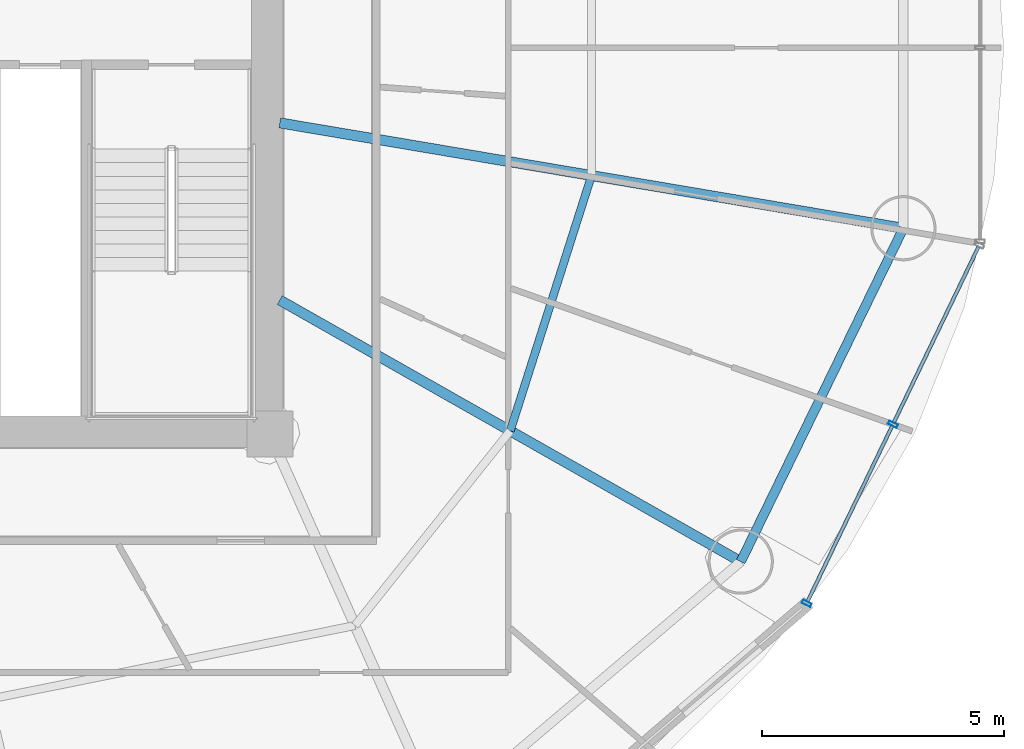
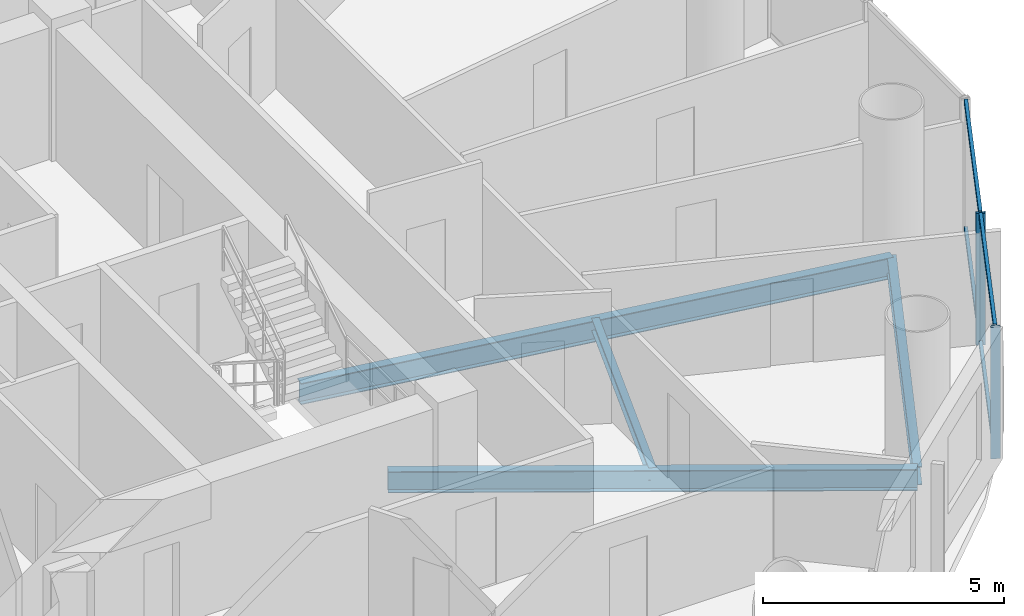
# One storey, part 10 of 26: 6 members, 4 beams, 1 element without a shape of its own.
"""IFC4 building model written with IfcOpenShell, lengths in metres."""

from ifc_helpers import new_model, si_unit, direction, frame, origin, origin_2d, place, context, subcontext, project, spatial, hollow_rectangle, i_section, extrude, source, transform, mapped, material, material_profile, profile_set, type_object, element, aggregate, save


model = new_model("IFC4")

# Units and contexts
model_context = context("Model", 3, precision=1e-05, world=origin(), true_north=direction((-0.2419218956, 0.970295726276)))
body_context = subcontext(model_context, "Body", "Model", "MODEL_VIEW")
ifc_project = project(units=[si_unit("LENGTHUNIT", "METRE"), si_unit("AREAUNIT", "SQUARE_METRE"), si_unit("VOLUMEUNIT", "CUBIC_METRE"), si_unit("PLANEANGLEUNIT", "RADIAN"), si_unit("MASSUNIT", "GRAM", prefix="KILO")], contexts=[model_context])

# Site, building, storey
site_placement = place(None, origin())
site = spatial("IfcSite", under=ifc_project, at=site_placement, CompositionType="ELEMENT")
building_placement = place(site_placement, origin())
building = spatial("IfcBuilding", under=site, at=building_placement, Name="Cobrevalo Terracotta Tower", CompositionType="ELEMENT")
storey_placement = place(building_placement, frame((0.0, 0.0, 167.800048828125)))
storey = spatial("IfcBuildingStorey", under=building, at=storey_placement, Name="L44", CompositionType="ELEMENT", Elevation=167.800048828125)

# Beams
ifc_material_1 = material(Name="Steel S355", Category="steel")
ifc_material_profile_1 = material_profile(ifc_material_1, i_section(OverallWidth=0.2109375, OverallDepth=0.5390625, WebThickness=0.01171875, FlangeThickness=0.018798828125, at=origin_2d()), Name="W 530x109")
ifc_profile_set_1 = profile_set([ifc_material_profile_1], Name="Steel S355")
beam_type_1 = type_object("IfcBeamType", Name="Structural Beam W 530x109 (Steel S355)", PredefinedType="BEAM", material=ifc_profile_set_1)
beam_1_placement = place(storey_placement, frame((56.749755859375, 16.160888671875, -0.53955078125), z_axis=(-0.869743726706, 0.493503647257, 0.0), x_axis=(-0.493503647257, -0.869743726706, 0.0)))
element("IfcBeam", 1, at=beam_1_placement, inside=storey, type_object=beam_type_1, Name="L44 radial floor girder 15", PredefinedType="BEAM", context=body_context, shape_type="SweptSolid", body=[
    extrude(i_section(OverallWidth=0.2109375, OverallDepth=0.5390625, WebThickness=0.01171875, FlangeThickness=0.018798828125, at=origin_2d()), origin(), (0.0, 0.0, 1.0), 10.97412109375),
])
beam_2_placement = place(storey_placement, frame((60.11669921875, 23.06396484375, -0.53955078125), z_axis=(-0.986029732232, 0.166569406417, 0.0), x_axis=(-0.166569406417, -0.986029732232, 0.0)))
element("IfcBeam", 2, at=beam_2_placement, inside=storey, type_object=beam_type_1, Name="L44 radial floor girder 16", PredefinedType="BEAM", context=body_context, shape_type="SweptSolid", body=[
    extrude(i_section(OverallWidth=0.2109375, OverallDepth=0.5390625, WebThickness=0.01171875, FlangeThickness=0.018798828125, at=origin_2d()), origin(), (0.0, 0.0, 1.0), 13.094482421875),
])
ifc_material_profile_2 = material_profile(ifc_material_1, i_section(OverallWidth=0.1650390625, OverallDepth=0.31005859375, WebThickness=0.005859375, FlangeThickness=0.009765625, at=origin_2d()), Name="W 310x38.7")
ifc_profile_set_2 = profile_set([ifc_material_profile_2], Name="Steel S355")
beam_type_2 = type_object("IfcBeamType", Name="Structural Joist W 310x38.7 (Steel S355)", PredefinedType="JOIST", material=ifc_profile_set_2)
beam_3_placement = place(storey_placement, frame((51.977294921875, 18.868896484375, -0.425048828125), z_axis=(0.303497928386, 0.952832098255, 0.0), x_axis=(-0.952832098255, 0.303497928386, 0.0)))
element("IfcBeam", 3, at=beam_3_placement, inside=storey, type_object=beam_type_2, Name="L44 circumferential secondary floor joist 15", PredefinedType="JOIST", context=body_context, shape_type="SweptSolid", body=[
    extrude(i_section(OverallWidth=0.1650390625, OverallDepth=0.31005859375, WebThickness=0.005859375, FlangeThickness=0.009765625, at=origin_2d()), origin(), (0.0, 0.0, 1.0), 5.54736328125),
])
ifc_material_profile_3 = material_profile(ifc_material_1, i_section(OverallWidth=0.194091796875, OverallDepth=0.468994140625, WebThickness=0.011474609375, FlangeThickness=0.0205078125, at=origin_2d()), Name="W 460x106")
ifc_profile_set_3 = profile_set([ifc_material_profile_3], Name="Steel S355")
beam_type_3 = type_object("IfcBeamType", Name="Structural Spandrel W 460x106 (Steel S355)", PredefinedType="SPANDREL", material=ifc_profile_set_3)
beam_4_placement = place(storey_placement, frame((56.749755859375, 16.160888671875, -0.504638671875), z_axis=(0.438380418332, 0.898789524206, 0.0), x_axis=(-0.898789524206, 0.438380418332, 0.0)))
element("IfcBeam", 4, at=beam_4_placement, inside=storey, type_object=beam_type_3, Name="L44 perimeter ring spandrel 15", PredefinedType="SPANDREL", context=body_context, shape_type="SweptSolid", body=[
    extrude(i_section(OverallWidth=0.194091796875, OverallDepth=0.468994140625, WebThickness=0.011474609375, FlangeThickness=0.0205078125, at=origin_2d()), origin(), (0.0, 0.0, 1.0), 7.680419921875),
])

# Curtain wall, members
ifc_material_2 = material(Name="Anodized aluminium", Category="aluminium")
curtain_wall_type = type_object("IfcCurtainWallType", Name="Mid-tower high-wind unitised curtain wall CW-U2", PredefinedType="NOTDEFINED", material=ifc_material_2)
curtain_wall_placement = place(storey_placement, origin())
curtain_wall = element("IfcCurtainWall", 5, at=curtain_wall_placement, inside=storey, type_object=curtain_wall_type, Name="L44 curtain wall CW-L44-S15", PredefinedType="NOTDEFINED")
ifc_material_profile_4 = material_profile(ifc_material_2, hollow_rectangle(XDim=0.074951171875, YDim=0.14990234375, WallThickness=0.00439453125, at=origin_2d()), Name="CWT 75x150")
ifc_profile_set_4 = profile_set([ifc_material_profile_4], Name="Anodized aluminium")
member_type_1 = type_object("IfcMemberType", Name="Tower unitised aluminium transom 75x150", PredefinedType="USERDEFINED", material=ifc_profile_set_4)
shared_shape_1 = source(origin(), body_context, "Body", "SweptSolid", [
    extrude(hollow_rectangle(XDim=0.074951171875, YDim=0.14990234375, WallThickness=0.00439453125, at=origin_2d()), origin(), (0.0, 0.0, 1.0), 4.035888671875),
])
member_1_placement = place(storey_placement, frame((58.13134765625, 15.332763671875, 0.050048828125), z_axis=(0.434221176581, 0.900806288726, 0.0), x_axis=(-0.900806288726, 0.434221176581, 0.0)))
member_1 = element("IfcMember", 6, at=member_1_placement, type_object=member_type_1, Name="CW-L44-S15 transom B01-T1", ObjectType="TRANSOM", PredefinedType="USERDEFINED", context=body_context, shape_type="MappedRepresentation", body=[
    mapped(shared_shape_1, transform((0.0, 0.0, 0.0), scale=1.0)),
])
member_2_placement = place(storey_placement, frame((58.13134765625, 15.332763671875, 3.280029296875), z_axis=(0.434221176581, 0.900806288726, 0.0), x_axis=(-0.900806288726, 0.434221176581, 0.0)))
member_2 = element("IfcMember", 7, at=member_2_placement, type_object=member_type_1, Name="CW-L44-S15 transom B01-T2", ObjectType="TRANSOM", PredefinedType="USERDEFINED", context=body_context, shape_type="MappedRepresentation", body=[
    mapped(shared_shape_1, transform((0.0, 0.0, 0.0), scale=1.0)),
])
member_3_placement = place(storey_placement, frame((59.91845703125, 19.04052734375, 0.050048828125), z_axis=(0.434221176581, 0.900806288726, 0.0), x_axis=(-0.900806288726, 0.434221176581, 0.0)))
member_3 = element("IfcMember", 8, at=member_3_placement, type_object=member_type_1, Name="CW-L44-S15 transom B02-T1", ObjectType="TRANSOM", PredefinedType="USERDEFINED", context=body_context, shape_type="MappedRepresentation", body=[
    mapped(shared_shape_1, transform((0.0, 0.0, 0.0), scale=1.0)),
])
member_4_placement = place(storey_placement, frame((59.91845703125, 19.04052734375, 3.280029296875), z_axis=(0.434221176581, 0.900806288726, 0.0), x_axis=(-0.900806288726, 0.434221176581, 0.0)))
member_4 = element("IfcMember", 9, at=member_4_placement, type_object=member_type_1, Name="CW-L44-S15 transom B02-T2", ObjectType="TRANSOM", PredefinedType="USERDEFINED", context=body_context, shape_type="MappedRepresentation", body=[
    mapped(shared_shape_1, transform((0.0, 0.0, 0.0), scale=1.0)),
])
ifc_material_profile_5 = material_profile(ifc_material_2, hollow_rectangle(XDim=0.074951171875, YDim=0.199951171875, WallThickness=0.0048828125, at=origin_2d()), Name="CWM 75x200")
ifc_profile_set_5 = profile_set([ifc_material_profile_5], Name="Anodized aluminium")
member_type_2 = type_object("IfcMemberType", Name="Lower/mid tower unitised mullion 75x200", PredefinedType="MULLION", material=ifc_profile_set_5)
shared_shape_2 = source(origin(), body_context, "Body", "SweptSolid", [
    extrude(hollow_rectangle(XDim=0.074951171875, YDim=0.199951171875, WallThickness=0.0048828125, at=origin_2d()), origin(), (0.0, 0.0, 1.0), 3.329833984375),
])
member_5_placement = place(storey_placement, frame((58.114013671875, 15.296875, 0.0), z_axis=(0.0, 0.0, 1.0), x_axis=(0.434209440271, 0.900811945957, 0.0)))
member_5 = element("IfcMember", 10, at=member_5_placement, type_object=member_type_2, Name="CW-L44-S15 vertical mullion 01", PredefinedType="MULLION", context=body_context, shape_type="MappedRepresentation", body=[
    mapped(shared_shape_2, transform((0.0, 0.0, 0.0), scale=1.0)),
])
member_6_placement = place(storey_placement, frame((59.901123046875, 19.00439453125, 0.0), z_axis=(0.0, 0.0, 1.0), x_axis=(0.434209440271, 0.900811945957, 0.0)))
member_6 = element("IfcMember", 11, at=member_6_placement, type_object=member_type_2, Name="CW-L44-S15 vertical mullion 02", PredefinedType="MULLION", context=body_context, shape_type="MappedRepresentation", body=[
    mapped(shared_shape_2, transform((0.0, 0.0, 0.0), scale=1.0)),
])
aggregate(curtain_wall, [member_5, member_6, member_1, member_2, member_3, member_4])

save(model, "model.ifc")
